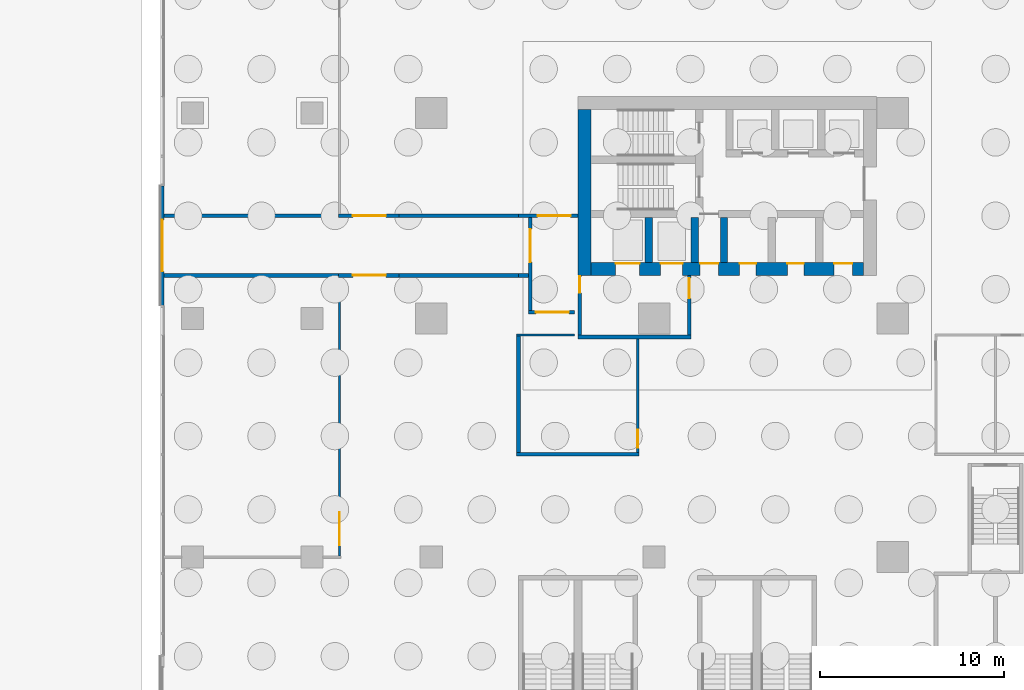
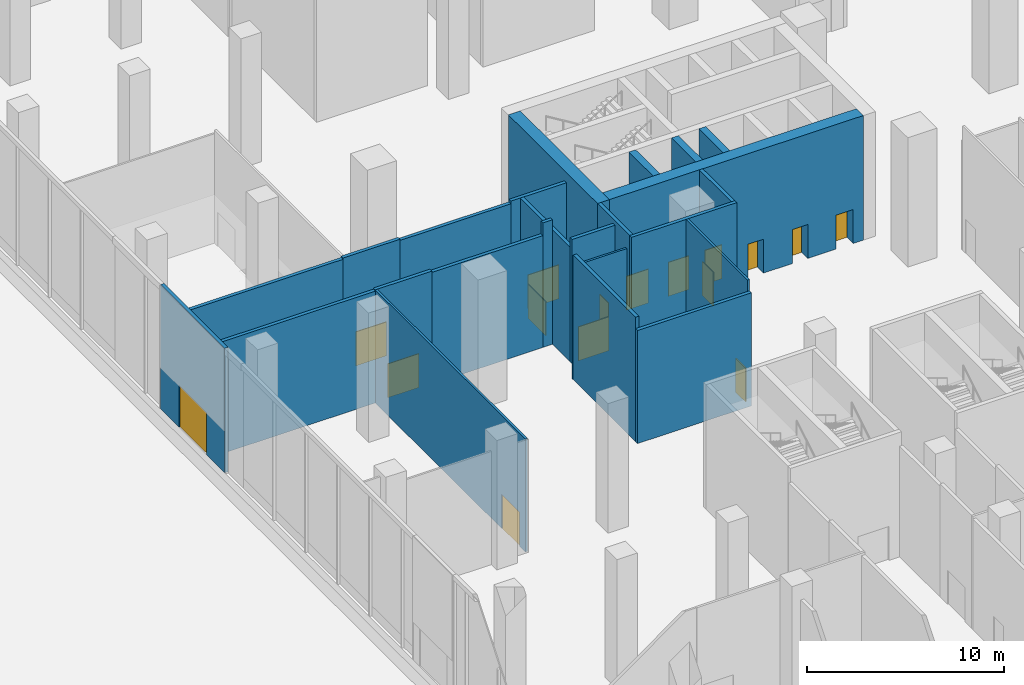
# One storey, part 18 of 27: 24 walls, 16 doors, 16 openings.
"""IFC4 building model written with IfcOpenShell, lengths in metres."""

from ifc_helpers import new_model, si_unit, direction, frame, frame_2d, origin, place, context, subcontext, project, spatial, rectangle, extrude, source, transform, mapped, material, layer, layer_set, type_object, element, fill, save


model = new_model("IFC4")

# Units and contexts
model_context = context("Model", 3, precision=1e-05, world=origin(), true_north=direction((0.0, 1.0)))
body_context = subcontext(model_context, "Body", "Model", "MODEL_VIEW")
ifc_project = project(units=[si_unit("LENGTHUNIT", "METRE"), si_unit("AREAUNIT", "SQUARE_METRE"), si_unit("VOLUMEUNIT", "CUBIC_METRE"), si_unit("PLANEANGLEUNIT", "RADIAN"), si_unit("MASSUNIT", "GRAM", prefix="KILO")], contexts=[model_context])

# Site, building, storey
site_placement = place(None, origin())
site = spatial("IfcSite", under=ifc_project, at=site_placement, CompositionType="ELEMENT")
building_placement = place(site_placement, origin())
building = spatial("IfcBuilding", under=site, at=building_placement, Name="Trellis Farm Tower", CompositionType="ELEMENT")
storey_placement = place(building_placement, origin())
storey = spatial("IfcBuildingStorey", under=building, at=storey_placement, Name="L00", CompositionType="ELEMENT", Elevation=0.0)

# Walls
ifc_material_1 = material(Name="Lightweight blockwork, plastered", Category="masonry")
ifc_layer_1 = layer(ifc_material_1, 0.199951171875)
ifc_layer_set_1 = layer_set([ifc_layer_1], Name="BLOCK WALL 200 EI 120")
wall_type_1 = type_object("IfcWallType", Name="BLOCK WALL 200 EI 120", PredefinedType="PARTITIONING", material=ifc_layer_set_1)
wall_1_placement = place(storey_placement, frame((-26.0, -12.89990234375, 0.0), z_axis=(0.0, 0.0, 1.0), x_axis=(0.0, 1.0, 0.0)))
element("IfcWall", 1, at=wall_1_placement, inside=storey, type_object=wall_type_1, Name="Partition PW3", PredefinedType="PARTITIONING", context=body_context, shape_type="SweptSolid", body=[
    extrude(rectangle(XDim=6.33740234375, YDim=0.199951171875, at=frame_2d((3.168701171875, 0.0))), origin(), (0.0, 0.0, 1.0), 7.699951171875),
])
wall_2_placement = place(storey_placement, frame((-26.10009765625, -13.0, 0.0), z_axis=(0.0, 0.0, 1.0), x_axis=(1.0, 0.0, 0.0)))
element("IfcWall", 2, at=wall_2_placement, inside=storey, type_object=wall_type_1, Name="Partition PW3", PredefinedType="PARTITIONING", context=body_context, shape_type="SweptSolid", body=[
    extrude(rectangle(XDim=6.66259765625, YDim=0.199951171875, at=frame_2d((3.331298828125, 0.0))), origin(), (0.0, 0.0, 1.0), 6.99658203125),
])

# Wall, opening, door
ifc_material_2 = material(Name="Plasterboard on steel studs, mineral wool", Category="steel")
ifc_layer_2 = layer(ifc_material_2, 0.125)
ifc_layer_set_2 = layer_set([ifc_layer_2], Name="PARTITION 125 STUD EI 60")
wall_type_2 = type_object("IfcWallType", Name="PARTITION 125 STUD EI 60", PredefinedType="PARTITIONING", material=ifc_layer_set_2)
wall_3_placement = place(storey_placement, frame((-35.75, -18.550048828125, 0.0), z_axis=(0.0, 0.0, 1.0), x_axis=(0.0, 1.0, 0.0)))
wall_3 = element("IfcWall", 3, at=wall_3_placement, inside=storey, type_object=wall_type_2, Name="Partition PW1", PredefinedType="PARTITIONING", context=body_context, shape_type="SweptSolid", body=[
    extrude(rectangle(XDim=15.199951171875, YDim=0.125, at=frame_2d((7.60009765625, 0.0))), origin(), (0.0, 0.0, 1.0), 6.99658203125),
])
shared_shape_1 = source(origin(), body_context, "Body", "SweptSolid", [
    extrude(rectangle(XDim=1.800048828125, YDim=2.10009765625, at=frame_2d((0.89990234375, 1.050048828125))), frame((0.0, 0.072509765625, 0.0), z_axis=(0.0, -1.0, 0.0), x_axis=(1.0, 0.0, 0.0)), (0.0, 0.0, 1.0), 0.14501953125),
])
opening_1_placement = place(wall_3_placement, frame((0.60009765625, 0.0, 0.0)))
opening_1 = element("IfcOpeningElement", 4, at=opening_1_placement, cuts=wall_3, Name="Opening D201", PredefinedType="OPENING", context=body_context, shape_type="MappedRepresentation", body=[
    mapped(shared_shape_1, transform((0.0, 0.0, 0.0))),
])
ifc_material_3 = material(Name="Fire-rated timber door leaf in a hollow metal frame", Category="wood")
door_type_1 = type_object("IfcDoorType", Name="DOOR PAIR 1800x2100 FD30S", OperationType="NOTDEFINED", PredefinedType="DOOR", material=ifc_material_3)
shared_shape_2 = source(origin(), body_context, "Body", "SweptSolid", [
    extrude(rectangle(XDim=1.800048828125, YDim=2.10009765625, at=frame_2d((0.89990234375, 1.050048828125))), frame((0.0, 0.02490234375, 0.0), z_axis=(0.0, -1.0, 0.0), x_axis=(1.0, 0.0, 0.0)), (0.0, 0.0, 1.0), 0.050048828125),
])
door_1_placement = place(opening_1_placement, origin())
door_1 = element("IfcDoor", 5, at=door_1_placement, inside=storey, type_object=door_type_1, Name="Door D201", OperationType="DOUBLE_DOOR_SINGLE_SWING", OverallHeight=2.10009765625, OverallWidth=1.800048828125, PredefinedType="DOOR", context=body_context, shape_type="MappedRepresentation", body=[
    mapped(shared_shape_2, transform((0.0, 0.0, 0.0))),
])
fill(opening_1, door_1)

wall_4_placement = place(storey_placement, frame((-19.5, -12.89990234375, 0.0), z_axis=(0.0, 0.0, 1.0), x_axis=(0.0, 1.0, 0.0)))
wall_4 = element("IfcWall", 6, at=wall_4_placement, inside=storey, type_object=wall_type_2, Name="Partition PW1", PredefinedType="PARTITIONING", context=body_context, shape_type="SweptSolid", body=[
    extrude(rectangle(XDim=6.199951171875, YDim=0.125, at=frame_2d((3.10009765625, 0.0))), origin(), (0.0, 0.0, 1.0), 7.699951171875),
])
shared_shape_3 = source(origin(), body_context, "Body", "SweptSolid", [
    extrude(rectangle(XDim=1.0, YDim=2.10009765625, at=frame_2d((0.5, 1.050048828125))), frame((0.0, 0.072509765625, 0.0), z_axis=(0.0, -1.0, 0.0), x_axis=(1.0, 0.0, 0.0)), (0.0, 0.0, 1.0), 0.14501953125),
])
opening_2_placement = place(wall_4_placement, frame((0.25, 0.0, 0.0)))
opening_2 = element("IfcOpeningElement", 7, at=opening_2_placement, cuts=wall_4, Name="Opening D310", PredefinedType="OPENING", context=body_context, shape_type="MappedRepresentation", body=[
    mapped(shared_shape_3, transform((0.0, 0.0, 0.0))),
])
door_type_2 = type_object("IfcDoorType", Name="DOOR 1000x2100 FD60", OperationType="NOTDEFINED", PredefinedType="DOOR", material=ifc_material_3)
shared_shape_4 = source(origin(), body_context, "Body", "SweptSolid", [
    extrude(rectangle(XDim=1.0, YDim=2.10009765625, at=frame_2d((0.5, 1.050048828125))), frame((0.0, 0.02490234375, 0.0), z_axis=(0.0, -1.0, 0.0), x_axis=(1.0, 0.0, 0.0)), (0.0, 0.0, 1.0), 0.050048828125),
])
door_2_placement = place(opening_2_placement, origin())
door_2 = element("IfcDoor", 8, at=door_2_placement, inside=storey, type_object=door_type_2, Name="Door D310", OperationType="SINGLE_SWING_LEFT", OverallHeight=2.10009765625, OverallWidth=1.0, PredefinedType="DOOR", context=body_context, shape_type="MappedRepresentation", body=[
    mapped(shared_shape_4, transform((0.0, 0.0, 0.0))),
])
fill(opening_2, door_2)

# Walls
wall_5_placement = place(storey_placement, frame((-22.949951171875, -6.5, 0.0), z_axis=(0.0, 0.0, 1.0), x_axis=(-1.0, 0.0, 0.0)))
element("IfcWall", 9, at=wall_5_placement, inside=storey, type_object=wall_type_2, Name="Partition PW1", PredefinedType="PARTITIONING", context=body_context, shape_type="SweptSolid", body=[
    extrude(rectangle(XDim=3.150146484375, YDim=0.125, at=frame_2d((1.5751953125, 0.0))), origin(), (0.0, 0.0, 1.0), 6.99658203125),
])
ifc_material_4 = material(Name="Concrete C80/95", Category="concrete")
ifc_layer_3 = layer(ifc_material_4, 0.699951171875)
ifc_layer_set_3 = layer_set([ifc_layer_3], Name="CORE OUTER WALL 700 CONCRETE C80/95")
wall_type_3 = type_object("IfcWallType", Name="CORE OUTER WALL 700 CONCRETE C80/95", PredefinedType="SHEAR", material=ifc_layer_set_3)
shared_shape_5 = source(origin(), body_context, "Body", "SweptSolid", [
    extrude(rectangle(XDim=9.050048828125, YDim=0.699951171875, at=frame_2d((4.52490234375, 0.0))), origin(), (0.0, 0.0, 1.0), 7.699951171875),
])
wall_6_placement = place(storey_placement, frame((-22.39990234375, 5.800048828125, 0.0), z_axis=(0.0, 0.0, 1.0), x_axis=(0.0, -1.0, 0.0)))
element("IfcWall", 10, at=wall_6_placement, inside=storey, type_object=wall_type_3, Name="Core wall", PredefinedType="SHEAR", context=body_context, shape_type="MappedRepresentation", body=[
    mapped(shared_shape_5, transform((0.0, 0.0, 0.0))),
])
ifc_layer_4 = layer(ifc_material_4, 0.39990234375)
ifc_layer_set_4 = layer_set([ifc_layer_4], Name="CORE INNER WALL 400 CONCRETE C80/95")
wall_type_4 = type_object("IfcWallType", Name="CORE INNER WALL 400 CONCRETE C80/95", PredefinedType="SHEAR", material=ifc_layer_set_4)
shared_shape_6 = source(origin(), body_context, "Body", "SweptSolid", [
    extrude(rectangle(XDim=2.449951171875, YDim=0.39990234375, at=frame_2d((1.22509765625, 0.0))), origin(), (0.0, 0.0, 1.0), 7.699951171875),
])
for number, where, z_axis, x_axis, name in (
    (11, (-14.800048828125, -0.10009765625, 0.0), (0.0, 0.0, 1.0), (0.0, -1.0, 0.0), "Core wall"),
    (12, (-16.39990234375, -0.10009765625, 0.0), (0.0, 0.0, 1.0), (0.0, -1.0, 0.0), "Core wall"),
    (13, (-18.89990234375, -0.10009765625, 0.0), (0.0, 0.0, 1.0), (0.0, -1.0, 0.0), "Core wall"),
):
    element("IfcWall", number, at=place(storey_placement, frame(where, z_axis=z_axis, x_axis=x_axis)), inside=storey, type_object=wall_type_4, Name=name, PredefinedType="SHEAR", context=body_context, shape_type="MappedRepresentation", body=[
        mapped(shared_shape_6, transform((0.0, 0.0, 0.0))),
    ])

# Wall, opening, door
ifc_material_5 = material(Name="Masonry blockwork", Category="masonry")
ifc_layer_5 = layer(ifc_material_5, 0.199951171875)
ifc_layer_set_5 = layer_set([ifc_layer_5], Name="FIRE LOBBY PARTITION 200 BLOCKWORK")
wall_type_5 = type_object("IfcWallType", Name="FIRE LOBBY PARTITION 200 BLOCKWORK", PredefinedType="PARTITIONING", material=ifc_layer_set_5)
shared_shape_7 = source(origin(), body_context, "Body", "SweptSolid", [
    extrude(rectangle(XDim=3.25, YDim=0.199951171875, at=frame_2d((1.625, 0.0))), origin(), (0.0, 0.0, 1.0), 7.699951171875),
])
wall_7_placement = place(storey_placement, frame((-16.699951171875, -3.25, 0.0), z_axis=(0.0, 0.0, 1.0), x_axis=(0.0, -1.0, 0.0)))
wall_7 = element("IfcWall", 14, at=wall_7_placement, inside=storey, type_object=wall_type_5, Name="Fire-fighting lobby partition", PredefinedType="PARTITIONING", context=body_context, shape_type="MappedRepresentation", body=[
    mapped(shared_shape_7, transform((0.0, 0.0, 0.0))),
])
shared_shape_8 = source(origin(), body_context, "Body", "SweptSolid", [
    extrude(rectangle(XDim=1.10009765625, YDim=2.10009765625, at=frame_2d((0.550048828125, 1.050048828125))), frame((0.0, 0.110107421875, 0.0), z_axis=(0.0, -1.0, 0.0), x_axis=(1.0, 0.0, 0.0)), (0.0, 0.0, 1.0), 0.22021484375),
])
opening_3_placement = place(wall_7_placement, frame((0.14990234375, 0.0, 0.0)))
opening_3 = element("IfcOpeningElement", 15, at=opening_3_placement, cuts=wall_7, Name="Opening DC93", PredefinedType="OPENING", context=body_context, shape_type="MappedRepresentation", body=[
    mapped(shared_shape_8, transform((0.0, 0.0, 0.0))),
])
ifc_material_6 = material(Name="Steel", Category="steel")
door_type_3 = type_object("IfcDoorType", Name="CORE FIRE DOOR 1100 X 2100", OperationType="NOTDEFINED", PredefinedType="DOOR", material=ifc_material_6)
shared_shape_9 = source(origin(), body_context, "Body", "SweptSolid", [
    extrude(rectangle(XDim=1.10009765625, YDim=2.10009765625, at=frame_2d((0.550048828125, 1.050048828125))), frame((0.0, 0.02490234375, 0.0), z_axis=(0.0, -1.0, 0.0), x_axis=(1.0, 0.0, 0.0)), (0.0, 0.0, 1.0), 0.050048828125),
])
door_3_placement = place(opening_3_placement, origin())
door_3 = element("IfcDoor", 16, at=door_3_placement, inside=storey, type_object=door_type_3, Name="Core door", OperationType="SINGLE_SWING_RIGHT", OverallHeight=2.10009765625, OverallWidth=1.10009765625, PredefinedType="DOOR", context=body_context, shape_type="MappedRepresentation", body=[
    mapped(shared_shape_9, transform((0.0, 0.0, 0.0))),
])
fill(opening_3, door_3)

wall_8_placement = place(storey_placement, frame((-22.64990234375, -3.25, 0.0), z_axis=(0.0, 0.0, 1.0), x_axis=(0.0, -1.0, 0.0)))
wall_8 = element("IfcWall", 17, at=wall_8_placement, inside=storey, type_object=wall_type_5, Name="Fire-fighting lobby partition", PredefinedType="PARTITIONING", context=body_context, shape_type="MappedRepresentation", body=[
    mapped(shared_shape_7, transform((0.0, 0.0, 0.0))),
])
shared_shape_10 = source(origin(), body_context, "Body", "SweptSolid", [
    extrude(rectangle(XDim=0.89990234375, YDim=2.10009765625, at=frame_2d((0.449951171875, 1.050048828125))), frame((0.0, 0.110107421875, 0.0), z_axis=(0.0, -1.0, 0.0), x_axis=(1.0, 0.0, 0.0)), (0.0, 0.0, 1.0), 0.22021484375),
])
opening_4_placement = place(wall_8_placement, frame((0.050048828125, 0.0, 0.0)))
opening_4 = element("IfcOpeningElement", 18, at=opening_4_placement, cuts=wall_8, Name="Opening DC94", PredefinedType="OPENING", context=body_context, shape_type="MappedRepresentation", body=[
    mapped(shared_shape_10, transform((0.0, 0.0, 0.0))),
])
door_type_4 = type_object("IfcDoorType", Name="CORE FIRE DOOR 900 X 2100", OperationType="NOTDEFINED", PredefinedType="DOOR", material=ifc_material_6)
shared_shape_11 = source(origin(), body_context, "Body", "SweptSolid", [
    extrude(rectangle(XDim=0.89990234375, YDim=2.10009765625, at=frame_2d((0.449951171875, 1.050048828125))), frame((0.0, 0.02490234375, 0.0), z_axis=(0.0, -1.0, 0.0), x_axis=(1.0, 0.0, 0.0)), (0.0, 0.0, 1.0), 0.050048828125),
])
door_4_placement = place(opening_4_placement, origin())
door_4 = element("IfcDoor", 19, at=door_4_placement, inside=storey, type_object=door_type_4, Name="Core door", OperationType="SINGLE_SWING_RIGHT", OverallHeight=2.10009765625, OverallWidth=0.89990234375, PredefinedType="DOOR", context=body_context, shape_type="MappedRepresentation", body=[
    mapped(shared_shape_11, transform((0.0, 0.0, 0.0))),
])
fill(opening_4, door_4)

# Wall, openings, doors
shared_shape_12 = source(origin(), body_context, "Body", "SweptSolid", [
    extrude(rectangle(XDim=14.85009765625, YDim=0.699951171875, at=frame_2d((7.425048828125, 0.0))), origin(), (0.0, 0.0, 1.0), 7.699951171875),
])
wall_9_placement = place(storey_placement, frame((-7.199951171875, -2.89990234375, 0.0), z_axis=(0.0, 0.0, 1.0), x_axis=(-1.0, 0.0, 0.0)))
wall_9 = element("IfcWall", 20, at=wall_9_placement, inside=storey, type_object=wall_type_3, Name="Core wall", PredefinedType="SHEAR", context=body_context, shape_type="MappedRepresentation", body=[
    mapped(shared_shape_12, transform((0.0, 0.0, 0.0))),
])
shared_shape_13 = source(origin(), body_context, "Body", "SweptSolid", [
    extrude(rectangle(XDim=1.300048828125, YDim=2.10009765625, at=frame_2d((0.64990234375, 1.050048828125))), frame((0.0, 0.360107421875, 0.0), z_axis=(0.0, -1.0, 0.0), x_axis=(1.0, 0.0, 0.0)), (0.0, 0.0, 1.0), 0.72021484375),
])
opening_5_placement = place(wall_9_placement, frame((12.199951171875, 0.0, 0.0)))
opening_5 = element("IfcOpeningElement", 21, at=opening_5_placement, cuts=wall_9, Name="Opening LD15", PredefinedType="OPENING", context=body_context, shape_type="MappedRepresentation", body=[
    mapped(shared_shape_13, transform((0.0, 0.0, 0.0))),
])
shared_shape_14 = source(origin(), body_context, "Body", "SweptSolid", [
    extrude(rectangle(XDim=1.199951171875, YDim=2.10009765625, at=frame_2d((0.60009765625, 1.050048828125))), frame((0.0, 0.360107421875, 0.0), z_axis=(0.0, -1.0, 0.0), x_axis=(1.0, 0.0, 0.0)), (0.0, 0.0, 1.0), 0.72021484375),
])
opening_6_placement = place(wall_9_placement, frame((9.85009765625, 0.0, 0.0)))
opening_6 = element("IfcOpeningElement", 22, at=opening_6_placement, cuts=wall_9, Name="Opening LD16", PredefinedType="OPENING", context=body_context, shape_type="MappedRepresentation", body=[
    mapped(shared_shape_14, transform((0.0, 0.0, 0.0))),
])
shared_shape_15 = source(origin(), body_context, "Body", "SweptSolid", [
    extrude(rectangle(XDim=1.0, YDim=2.10009765625, at=frame_2d((0.5, 1.050048828125))), frame((0.0, 0.360107421875, 0.0), z_axis=(0.0, -1.0, 0.0), x_axis=(1.0, 0.0, 0.0)), (0.0, 0.0, 1.0), 0.72021484375),
])
opening_7_placement = place(wall_9_placement, frame((7.89990234375, 0.0, 0.0)))
opening_7 = element("IfcOpeningElement", 23, at=opening_7_placement, cuts=wall_9, Name="Opening DC92", PredefinedType="OPENING", context=body_context, shape_type="MappedRepresentation", body=[
    mapped(shared_shape_15, transform((0.0, 0.0, 0.0))),
])
opening_8_placement = place(wall_9_placement, frame((0.60009765625, 0.0, 0.0)))
opening_8 = element("IfcOpeningElement", 24, at=opening_8_placement, cuts=wall_9, Name="Opening DC99", PredefinedType="OPENING", context=body_context, shape_type="MappedRepresentation", body=[
    mapped(shared_shape_15, transform((0.0, 0.0, 0.0))),
])
shared_shape_16 = source(origin(), body_context, "Body", "SweptSolid", [
    extrude(rectangle(XDim=0.89990234375, YDim=2.10009765625, at=frame_2d((0.449951171875, 1.050048828125))), frame((0.0, 0.360107421875, 0.0), z_axis=(0.0, -1.0, 0.0), x_axis=(1.0, 0.0, 0.0)), (0.0, 0.0, 1.0), 0.72021484375),
])
opening_9_placement = place(wall_9_placement, frame((3.25, 0.0, 0.0)))
opening_9 = element("IfcOpeningElement", 25, at=opening_9_placement, cuts=wall_9, Name="Opening DC110", PredefinedType="OPENING", context=body_context, shape_type="MappedRepresentation", body=[
    mapped(shared_shape_16, transform((0.0, 0.0, 0.0))),
])
opening_10_placement = place(wall_9_placement, frame((5.85009765625, 0.0, 0.0)))
opening_10 = element("IfcOpeningElement", 26, at=opening_10_placement, cuts=wall_9, Name="Opening DC121", PredefinedType="OPENING", context=body_context, shape_type="MappedRepresentation", body=[
    mapped(shared_shape_16, transform((0.0, 0.0, 0.0))),
])
door_type_5 = type_object("IfcDoorType", Name="CORE FIRE DOOR 1000 X 2100", OperationType="NOTDEFINED", PredefinedType="DOOR", material=ifc_material_6)
shared_shape_17 = source(origin(), body_context, "Body", "SweptSolid", [
    extrude(rectangle(XDim=1.0, YDim=2.10009765625, at=frame_2d((0.5, 1.050048828125))), frame((0.0, -0.27490234375, 0.0), z_axis=(0.0, -1.0, 0.0), x_axis=(1.0, 0.0, 0.0)), (0.0, 0.0, 1.0), 0.050048828125),
])
door_5_placement = place(opening_7_placement, origin())
door_5 = element("IfcDoor", 27, at=door_5_placement, inside=storey, type_object=door_type_5, Name="Core door", OperationType="SINGLE_SWING_LEFT", OverallHeight=2.10009765625, OverallWidth=1.0, PredefinedType="DOOR", context=body_context, shape_type="MappedRepresentation", body=[
    mapped(shared_shape_17, transform((0.0, 0.0, 0.0))),
])
fill(opening_7, door_5)
door_6_placement = place(opening_8_placement, origin())
door_6 = element("IfcDoor", 28, at=door_6_placement, inside=storey, type_object=door_type_5, Name="Core door", OperationType="SINGLE_SWING_LEFT", OverallHeight=2.10009765625, OverallWidth=1.0, PredefinedType="DOOR", context=body_context, shape_type="MappedRepresentation", body=[
    mapped(shared_shape_17, transform((0.0, 0.0, 0.0))),
])
fill(opening_8, door_6)
shared_shape_18 = source(origin(), body_context, "Body", "SweptSolid", [
    extrude(rectangle(XDim=0.89990234375, YDim=2.10009765625, at=frame_2d((0.449951171875, 1.050048828125))), frame((0.0, -0.27490234375, 0.0), z_axis=(0.0, -1.0, 0.0), x_axis=(1.0, 0.0, 0.0)), (0.0, 0.0, 1.0), 0.050048828125),
])
door_7_placement = place(opening_9_placement, origin())
door_7 = element("IfcDoor", 29, at=door_7_placement, inside=storey, type_object=door_type_4, Name="Core door", OperationType="SINGLE_SWING_RIGHT", OverallHeight=2.10009765625, OverallWidth=0.89990234375, PredefinedType="DOOR", context=body_context, shape_type="MappedRepresentation", body=[
    mapped(shared_shape_18, transform((0.0, 0.0, 0.0))),
])
fill(opening_9, door_7)
door_8_placement = place(opening_10_placement, origin())
door_8 = element("IfcDoor", 30, at=door_8_placement, inside=storey, type_object=door_type_4, Name="Core door", OperationType="SINGLE_SWING_LEFT", OverallHeight=2.10009765625, OverallWidth=0.89990234375, PredefinedType="DOOR", context=body_context, shape_type="MappedRepresentation", body=[
    mapped(shared_shape_18, transform((0.0, 0.0, 0.0))),
])
fill(opening_10, door_8)
ifc_material_7 = material(Name="Stainless steel", Category="steel")
door_type_6 = type_object("IfcDoorType", Name="LIFT LANDING DOOR 1300 X 2100", OperationType="DOUBLE_DOOR_SLIDING", PredefinedType="DOOR", material=ifc_material_7)
shared_shape_19 = source(origin(), body_context, "Body", "SweptSolid", [
    extrude(rectangle(XDim=1.300048828125, YDim=2.10009765625, at=frame_2d((0.64990234375, 1.050048828125))), frame((0.0, -0.27490234375, 0.0), z_axis=(0.0, -1.0, 0.0), x_axis=(1.0, 0.0, 0.0)), (0.0, 0.0, 1.0), 0.050048828125),
])
door_9_placement = place(opening_5_placement, origin())
door_9 = element("IfcDoor", 31, at=door_9_placement, inside=storey, type_object=door_type_6, Name="Lift landing door", OperationType="DOUBLE_DOOR_SLIDING", OverallHeight=2.10009765625, OverallWidth=1.300048828125, PredefinedType="DOOR", context=body_context, shape_type="MappedRepresentation", body=[
    mapped(shared_shape_19, transform((0.0, 0.0, 0.0))),
])
fill(opening_5, door_9)
door_type_7 = type_object("IfcDoorType", Name="LIFT LANDING DOOR 1200 X 2100", OperationType="DOUBLE_DOOR_SLIDING", PredefinedType="DOOR", material=ifc_material_7)
shared_shape_20 = source(origin(), body_context, "Body", "SweptSolid", [
    extrude(rectangle(XDim=1.199951171875, YDim=2.10009765625, at=frame_2d((0.60009765625, 1.050048828125))), frame((0.0, -0.27490234375, 0.0), z_axis=(0.0, -1.0, 0.0), x_axis=(1.0, 0.0, 0.0)), (0.0, 0.0, 1.0), 0.050048828125),
])
door_10_placement = place(opening_6_placement, origin())
door_10 = element("IfcDoor", 32, at=door_10_placement, inside=storey, type_object=door_type_7, Name="Lift landing door", OperationType="DOUBLE_DOOR_SLIDING", OverallHeight=2.10009765625, OverallWidth=1.199951171875, PredefinedType="DOOR", context=body_context, shape_type="MappedRepresentation", body=[
    mapped(shared_shape_20, transform((0.0, 0.0, 0.0))),
])
fill(opening_6, door_10)

# Wall
shared_shape_21 = source(origin(), body_context, "Body", "SweptSolid", [
    extrude(rectangle(XDim=6.14990234375, YDim=0.199951171875, at=frame_2d((3.074951171875, 0.0))), origin(), (0.0, 0.0, 1.0), 7.699951171875),
])
wall_10_placement = place(storey_placement, frame((-16.60009765625, -6.60009765625, 0.0), z_axis=(0.0, 0.0, 1.0), x_axis=(-1.0, 0.0, 0.0)))
element("IfcWall", 33, at=wall_10_placement, inside=storey, type_object=wall_type_5, Name="Fire-fighting lobby partition", PredefinedType="PARTITIONING", context=body_context, shape_type="MappedRepresentation", body=[
    mapped(shared_shape_21, transform((0.0, 0.0, 0.0))),
])

# Wall, opening, door
ifc_material_8 = material(Name="Sandstone faced insulated wall", Category="masonry")
ifc_layer_6 = layer(ifc_material_8, 0.199951171875)
ifc_layer_set_6 = layer_set([ifc_layer_6], Name="EXTERNAL INFILL WALL 200")
wall_type_6 = type_object("IfcWallType", Name="EXTERNAL INFILL WALL 200", PredefinedType="SOLIDWALL", material=ifc_layer_set_6)
shared_shape_22 = source(origin(), body_context, "Body", "SweptSolid", [
    extrude(rectangle(XDim=6.5, YDim=0.199951171875, at=frame_2d((3.25, 0.0))), origin(), (0.0, 0.0, 1.0), 7.699951171875),
])
wall_11_placement = place(storey_placement, frame((-45.39990234375, -4.875, 0.0), z_axis=(0.0, 0.0, 1.0), x_axis=(0.0, 1.0, 0.0)))
wall_11 = element("IfcWall", 34, at=wall_11_placement, inside=storey, type_object=wall_type_6, Name="EW1 14", PredefinedType="SOLIDWALL", context=body_context, shape_type="MappedRepresentation", body=[
    mapped(shared_shape_22, transform((0.0, 0.0, 0.0))),
])
shared_shape_23 = source(origin(), body_context, "Body", "SweptSolid", [
    extrude(rectangle(XDim=2.800048828125, YDim=2.60009765625, at=frame_2d((1.39990234375, 1.300048828125))), frame((0.0, 0.110107421875, 0.0), z_axis=(0.0, -1.0, 0.0), x_axis=(1.0, 0.0, 0.0)), (0.0, 0.0, 1.0), 0.22021484375),
])
opening_11_placement = place(wall_11_placement, frame((1.85009765625, 0.0, 0.0)))
opening_11 = element("IfcOpeningElement", 35, at=opening_11_placement, cuts=wall_11, Name="Opening ED3", PredefinedType="OPENING", context=body_context, shape_type="MappedRepresentation", body=[
    mapped(shared_shape_23, transform((0.0, 0.0, 0.0))),
])
ifc_material_9 = material(Name="Aluminium framed glazed door", Category="aluminium")
door_type_8 = type_object("IfcDoorType", Name="ENTRANCE DOOR 2800x2600", OperationType="DOUBLE_DOOR_SINGLE_SWING", PredefinedType="DOOR", material=ifc_material_9)
shared_shape_24 = source(origin(), body_context, "Body", "SweptSolid", [
    extrude(rectangle(XDim=2.800048828125, YDim=2.60009765625, at=frame_2d((1.39990234375, 1.300048828125))), frame((0.0, 0.02490234375, 0.0), z_axis=(0.0, -1.0, 0.0), x_axis=(1.0, 0.0, 0.0)), (0.0, 0.0, 1.0), 0.050048828125),
])
door_11_placement = place(opening_11_placement, origin())
door_11 = element("IfcDoor", 36, at=door_11_placement, inside=storey, type_object=door_type_8, Name="Entrance door", OperationType="DOUBLE_DOOR_SINGLE_SWING", OverallHeight=2.60009765625, OverallWidth=2.800048828125, PredefinedType="DOOR", context=body_context, shape_type="MappedRepresentation", body=[
    mapped(shared_shape_24, transform((0.0, 0.0, 0.0))),
])
fill(opening_11, door_11)

shared_shape_25 = source(origin(), body_context, "Body", "SweptSolid", [
    extrude(rectangle(XDim=5.0498046875, YDim=0.199951171875, at=frame_2d((2.52490234375, 0.0))), origin(), (0.0, 0.0, 1.0), 7.077392578125),
])
wall_12_placement = place(storey_placement, frame((-25.35009765625, -5.14990234375, 0.0), z_axis=(0.0, 0.0, 1.0), x_axis=(0.0, 1.0, 0.0)))
wall_12 = element("IfcWall", 37, at=wall_12_placement, inside=storey, type_object=wall_type_1, Name="Partition PW3", PredefinedType="PARTITIONING", context=body_context, shape_type="MappedRepresentation", body=[
    mapped(shared_shape_25, transform((0.0, 0.0, 0.0))),
])
shared_shape_26 = source(origin(), body_context, "Body", "SweptSolid", [
    extrude(rectangle(XDim=1.800048828125, YDim=2.10009765625, at=frame_2d((0.89990234375, 1.050048828125))), frame((0.0, 0.110107421875, 0.0), z_axis=(0.0, -1.0, 0.0), x_axis=(1.0, 0.0, 0.0)), (0.0, 0.0, 1.0), 0.22021484375),
])
opening_12_placement = place(wall_12_placement, frame((2.625, 0.0, 0.0)))
opening_12 = element("IfcOpeningElement", 38, at=opening_12_placement, cuts=wall_12, Name="Opening D414", PredefinedType="OPENING", context=body_context, shape_type="MappedRepresentation", body=[
    mapped(shared_shape_26, transform((0.0, 0.0, 0.0))),
])
door_type_9 = type_object("IfcDoorType", Name="DOOR PAIR 1800x2100 FD60", OperationType="NOTDEFINED", PredefinedType="DOOR", material=ifc_material_3)
door_12_placement = place(opening_12_placement, origin())
door_12 = element("IfcDoor", 39, at=door_12_placement, inside=storey, type_object=door_type_9, Name="Door D414", OperationType="DOUBLE_DOOR_SINGLE_SWING", OverallHeight=2.10009765625, OverallWidth=1.800048828125, PredefinedType="DOOR", context=body_context, shape_type="MappedRepresentation", body=[
    mapped(shared_shape_2, transform((0.0, 0.0, 0.0))),
])
fill(opening_12, door_12)

shared_shape_27 = source(origin(), body_context, "Body", "SweptSolid", [
    extrude(rectangle(XDim=3.3125, YDim=0.199951171875, at=frame_2d((1.65625, 0.0))), origin(), (0.0, 0.0, 1.0), 6.99658203125),
])
wall_13_placement = place(storey_placement, frame((-32.5, -3.25, 0.0), z_axis=(0.0, 0.0, 1.0), x_axis=(-1.0, 0.0, 0.0)))
wall_13 = element("IfcWall", 40, at=wall_13_placement, inside=storey, type_object=wall_type_1, Name="Partition PW3", PredefinedType="PARTITIONING", context=body_context, shape_type="MappedRepresentation", body=[
    mapped(shared_shape_27, transform((0.0, 0.0, 0.0))),
])
opening_13_placement = place(wall_13_placement, frame((0.72509765625, 0.0, 0.0)))
opening_13 = element("IfcOpeningElement", 41, at=opening_13_placement, cuts=wall_13, Name="Opening D413", PredefinedType="OPENING", context=body_context, shape_type="MappedRepresentation", body=[
    mapped(shared_shape_26, transform((0.0, 0.0, 0.0))),
])
door_13_placement = place(opening_13_placement, origin())
door_13 = element("IfcDoor", 42, at=door_13_placement, inside=storey, type_object=door_type_9, Name="Door D413", OperationType="DOUBLE_DOOR_SINGLE_SWING", OverallHeight=2.10009765625, OverallWidth=1.800048828125, PredefinedType="DOOR", context=body_context, shape_type="MappedRepresentation", body=[
    mapped(shared_shape_2, transform((0.0, 0.0, 0.0))),
])
fill(opening_13, door_13)

wall_14_placement = place(storey_placement, frame((-35.8125, 0.0, 0.0), z_axis=(0.0, 0.0, 1.0), x_axis=(1.0, 0.0, 0.0)))
wall_14 = element("IfcWall", 43, at=wall_14_placement, inside=storey, type_object=wall_type_1, Name="Partition PW3", PredefinedType="PARTITIONING", context=body_context, shape_type="MappedRepresentation", body=[
    mapped(shared_shape_27, transform((0.0, 0.0, 0.0))),
])
opening_14_placement = place(wall_14_placement, frame((0.78759765625, 0.0, 0.0)))
opening_14 = element("IfcOpeningElement", 44, at=opening_14_placement, cuts=wall_14, Name="Opening D415", PredefinedType="OPENING", context=body_context, shape_type="MappedRepresentation", body=[
    mapped(shared_shape_26, transform((0.0, 0.0, 0.0))),
])
door_14_placement = place(opening_14_placement, origin())
door_14 = element("IfcDoor", 45, at=door_14_placement, inside=storey, type_object=door_type_9, Name="Door D415", OperationType="DOUBLE_DOOR_SINGLE_SWING", OverallHeight=2.10009765625, OverallWidth=1.800048828125, PredefinedType="DOOR", context=body_context, shape_type="MappedRepresentation", body=[
    mapped(shared_shape_2, transform((0.0, 0.0, 0.0))),
])
fill(opening_14, door_14)

shared_shape_28 = source(origin(), body_context, "Body", "SweptSolid", [
    extrude(rectangle(XDim=3.25, YDim=0.199951171875, at=frame_2d((1.625, 0.0))), origin(), (0.0, 0.0, 1.0), 7.077392578125),
])
wall_15_placement = place(storey_placement, frame((-26.0, 0.0, 0.0), z_axis=(0.0, 0.0, 1.0), x_axis=(1.0, 0.0, 0.0)))
wall_15 = element("IfcWall", 46, at=wall_15_placement, inside=storey, type_object=wall_type_1, Name="Partition PW3", PredefinedType="PARTITIONING", context=body_context, shape_type="MappedRepresentation", body=[
    mapped(shared_shape_28, transform((0.0, 0.0, 0.0))),
])
opening_15_placement = place(wall_15_placement, frame((1.050048828125, 0.0, 0.0)))
opening_15 = element("IfcOpeningElement", 47, at=opening_15_placement, cuts=wall_15, Name="Opening D416", PredefinedType="OPENING", context=body_context, shape_type="MappedRepresentation", body=[
    mapped(shared_shape_26, transform((0.0, 0.0, 0.0))),
])
door_15_placement = place(opening_15_placement, origin())
door_15 = element("IfcDoor", 48, at=door_15_placement, inside=storey, type_object=door_type_9, Name="Door D416", OperationType="DOUBLE_DOOR_SINGLE_SWING", OverallHeight=2.10009765625, OverallWidth=1.800048828125, PredefinedType="DOOR", context=body_context, shape_type="MappedRepresentation", body=[
    mapped(shared_shape_2, transform((0.0, 0.0, 0.0))),
])
fill(opening_15, door_15)

# Walls
shared_shape_29 = source(origin(), body_context, "Body", "SweptSolid", [
    extrude(rectangle(XDim=6.5, YDim=0.199951171875, at=frame_2d((3.25, 0.0))), origin(), (0.0, 0.0, 1.0), 6.917724609375),
])
for number, where, z_axis, x_axis, name in (
    (49, (-26.0, -3.25, 0.0), (0.0, 0.0, 1.0), (-1.0, 0.0, 0.0), "Partition PW3"),
    (50, (-32.5, 0.0, 0.0), (0.0, 0.0, 1.0), (1.0, 0.0, 0.0), "Partition PW3"),
):
    element("IfcWall", number, at=place(storey_placement, frame(where, z_axis=z_axis, x_axis=x_axis)), inside=storey, type_object=wall_type_1, Name=name, PredefinedType="PARTITIONING", context=body_context, shape_type="MappedRepresentation", body=[
        mapped(shared_shape_29, transform((0.0, 0.0, 0.0))),
    ])
shared_shape_30 = source(origin(), body_context, "Body", "SweptSolid", [
    extrude(rectangle(XDim=9.612548828125, YDim=0.199951171875, at=frame_2d((4.80615234375, 0.0))), origin(), (0.0, 0.0, 1.0), 6.917724609375),
])
for number, where, z_axis, x_axis, name in (
    (51, (-35.6875, -3.25, 0.0), (0.0, 0.0, 1.0), (-1.0, 0.0, 0.0), "Partition PW3"),
    (52, (-45.300048828125, 0.0, 0.0), (0.0, 0.0, 1.0), (1.0, 0.0, 0.0), "Partition PW3"),
):
    element("IfcWall", number, at=place(storey_placement, frame(where, z_axis=z_axis, x_axis=x_axis)), inside=storey, type_object=wall_type_1, Name=name, PredefinedType="PARTITIONING", context=body_context, shape_type="MappedRepresentation", body=[
        mapped(shared_shape_30, transform((0.0, 0.0, 0.0))),
    ])
shared_shape_31 = source(origin(), body_context, "Body", "SweptSolid", [
    extrude(rectangle(XDim=0.550048828125, YDim=0.199951171875, at=frame_2d((0.27490234375, 0.0))), origin(), (0.0, 0.0, 1.0), 7.699951171875),
])
wall_16_placement = place(storey_placement, frame((-26.0, -3.25, 0.0), z_axis=(0.0, 0.0, 1.0), x_axis=(1.0, 0.0, 0.0)))
element("IfcWall", 53, at=wall_16_placement, inside=storey, type_object=wall_type_1, Name="Partition PW3", PredefinedType="PARTITIONING", context=body_context, shape_type="MappedRepresentation", body=[
    mapped(shared_shape_31, transform((0.0, 0.0, 0.0))),
])

# Wall, opening, door
shared_shape_32 = source(origin(), body_context, "Body", "SweptSolid", [
    extrude(rectangle(XDim=2.5, YDim=0.199951171875, at=frame_2d((1.25, 0.0))), origin(), (0.0, 0.0, 1.0), 7.699951171875),
])
wall_17_placement = place(storey_placement, frame((-25.449951171875, -5.25, 0.0), z_axis=(0.0, 0.0, 1.0), x_axis=(1.0, 0.0, 0.0)))
wall_17 = element("IfcWall", 54, at=wall_17_placement, inside=storey, type_object=wall_type_1, Name="Partition PW3", PredefinedType="PARTITIONING", context=body_context, shape_type="MappedRepresentation", body=[
    mapped(shared_shape_32, transform((0.0, 0.0, 0.0))),
])
opening_16_placement = place(wall_17_placement, frame((0.39990234375, 0.0, 0.0)))
opening_16 = element("IfcOpeningElement", 55, at=opening_16_placement, cuts=wall_17, Name="Opening D412", PredefinedType="OPENING", context=body_context, shape_type="MappedRepresentation", body=[
    mapped(shared_shape_26, transform((0.0, 0.0, 0.0))),
])
door_16_placement = place(opening_16_placement, origin())
door_16 = element("IfcDoor", 56, at=door_16_placement, inside=storey, type_object=door_type_9, Name="Door D412", OperationType="DOUBLE_DOOR_SINGLE_SWING", OverallHeight=2.10009765625, OverallWidth=1.800048828125, PredefinedType="DOOR", context=body_context, shape_type="MappedRepresentation", body=[
    mapped(shared_shape_2, transform((0.0, 0.0, 0.0))),
])
fill(opening_16, door_16)

save(model, "model.ifc")
